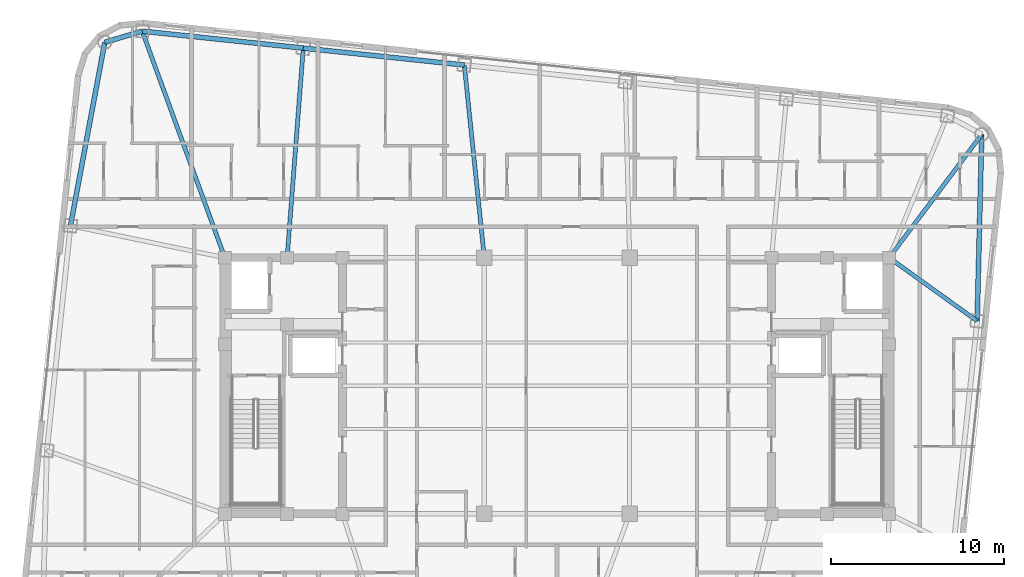
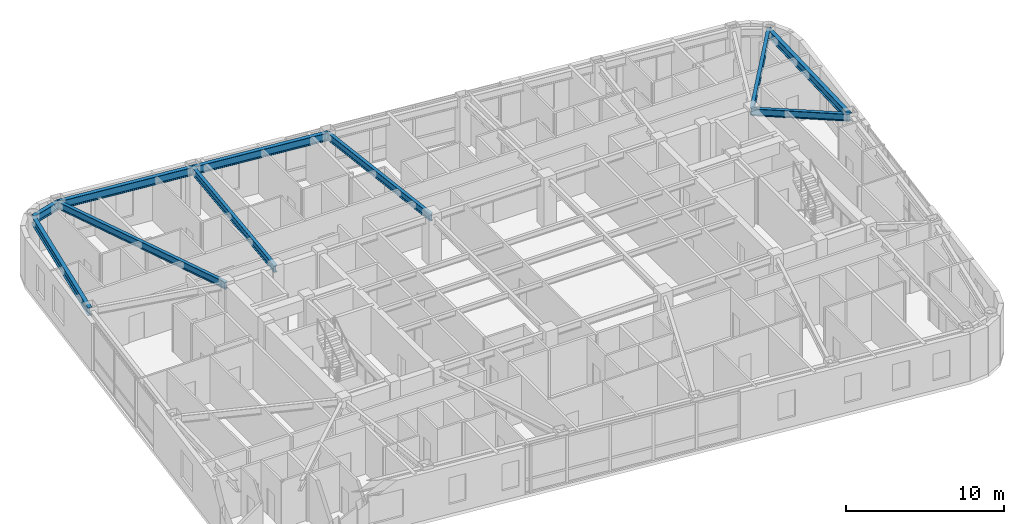
# One storey, part 11 of 23: 10 beams.
"""IFC4 building model written with IfcOpenShell, lengths in metres."""

from ifc_helpers import new_model, si_unit, direction, frame, origin, origin_2d, place, context, subcontext, project, spatial, i_section, extrude, material, material_profile, profile_set, type_object, element, save


model = new_model("IFC4")

# Units and contexts
model_context = context("Model", 3, precision=1e-05, world=origin(), true_north=direction((0.0, 1.0)))
body_context = subcontext(model_context, "Body", "Model", "MODEL_VIEW")
ifc_project = project(units=[si_unit("LENGTHUNIT", "METRE"), si_unit("AREAUNIT", "SQUARE_METRE"), si_unit("VOLUMEUNIT", "CUBIC_METRE"), si_unit("PLANEANGLEUNIT", "RADIAN"), si_unit("MASSUNIT", "GRAM", prefix="KILO")], contexts=[model_context])

# Site, building, storey
site_placement = place(None, origin())
site = spatial("IfcSite", under=ifc_project, at=site_placement, CompositionType="ELEMENT")
building_placement = place(site_placement, origin())
building = spatial("IfcBuilding", under=site, at=building_placement, Name="Voryun Gate Residences", CompositionType="ELEMENT")
storey_placement = place(building_placement, frame((0.0, 0.0, 275.60009765625)))
storey = spatial("IfcBuildingStorey", under=building, at=storey_placement, Name="L68", CompositionType="ELEMENT", Elevation=275.60009765625)

# Beams
ifc_material_1 = material(Name="Steel SM355", Category="steel")
ifc_material_profile_1 = material_profile(ifc_material_1, i_section(OverallWidth=0.280029296875, OverallDepth=0.6201171875, WebThickness=0.013916015625, FlangeThickness=0.02197265625, FilletRadius=0.01806640625, at=origin_2d()), Name="H-620x280x14x22")
ifc_profile_set_1 = profile_set([ifc_material_profile_1], Name="Steel SM355")
beam_type_1 = type_object("IfcBeamType", Name="BM_EXO_SPANDREL_H", PredefinedType="SPANDREL", material=ifc_profile_set_1)
beam_1_placement = place(storey_placement, frame((24.28857421875, 3.743896484375, 3.33984375), z_axis=(0.024534711967, 0.999698978647, 0.0), x_axis=(-0.999698978647, 0.024534711967, 0.0)))
element("IfcBeam", 1, at=beam_1_placement, inside=storey, type_object=beam_type_1, Name="BM-L68-SPAND-09", PredefinedType="SPANDREL", context=body_context, shape_type="SweptSolid", body=[
    extrude(i_section(OverallWidth=0.280029296875, OverallDepth=0.6201171875, WebThickness=0.013916015625, FlangeThickness=0.02197265625, FilletRadius=0.01806640625, at=origin_2d()), origin(), (0.0, 0.0, 1.0), 10.78662109375),
])
beam_2_placement = place(storey_placement, frame((-5.357177734375, 18.539794921875, 3.33984375), z_axis=(-0.994523303591, 0.104515064059, 0.0), x_axis=(-0.104515064059, -0.994523303591, 0.0)))
element("IfcBeam", 2, at=beam_2_placement, inside=storey, type_object=beam_type_1, Name="BM-L68-SPAND-14", PredefinedType="SPANDREL", context=body_context, shape_type="SweptSolid", body=[
    extrude(i_section(OverallWidth=0.280029296875, OverallDepth=0.6201171875, WebThickness=0.013916015625, FlangeThickness=0.02197265625, FilletRadius=0.01806640625, at=origin_2d()), origin(), (0.0, 0.0, 1.0), 9.360107421875),
])
beam_3_placement = place(storey_placement, frame((-14.666015625, 19.51806640625, 3.33984375), z_axis=(-0.994520307047, 0.104543574031, 0.0), x_axis=(-0.104543574031, -0.994520307047, 0.0)))
element("IfcBeam", 3, at=beam_3_placement, inside=storey, type_object=beam_type_1, Name="BM-L68-SPAND-15", PredefinedType="SPANDREL", context=body_context, shape_type="SweptSolid", body=[
    extrude(i_section(OverallWidth=0.280029296875, OverallDepth=0.6201171875, WebThickness=0.013916015625, FlangeThickness=0.02197265625, FilletRadius=0.01806640625, at=origin_2d()), origin(), (0.0, 0.0, 1.0), 9.35986328125),
])
beam_4_placement = place(storey_placement, frame((-23.974609375, 20.49658203125, 3.33984375), z_axis=(-0.958805748412, -0.28406255792, 0.0), x_axis=(0.28406255792, -0.958805748412, 0.0)))
element("IfcBeam", 4, at=beam_4_placement, inside=storey, type_object=beam_type_1, Name="BM-L68-SPAND-16", PredefinedType="SPANDREL", context=body_context, shape_type="SweptSolid", body=[
    extrude(i_section(OverallWidth=0.280029296875, OverallDepth=0.6201171875, WebThickness=0.013916015625, FlangeThickness=0.02197265625, FilletRadius=0.01806640625, at=origin_2d()), origin(), (0.0, 0.0, 1.0), 2.2578125),
])
beam_5_placement = place(storey_placement, frame((-26.139404296875, 19.855224609375, 3.33984375), z_axis=(-0.183852585596, -0.982953827384, 0.0), x_axis=(0.982953827384, -0.183852585596, 0.0)))
element("IfcBeam", 5, at=beam_5_placement, inside=storey, type_object=beam_type_1, Name="BM-L68-SPAND-17", PredefinedType="SPANDREL", context=body_context, shape_type="SweptSolid", body=[
    extrude(i_section(OverallWidth=0.280029296875, OverallDepth=0.6201171875, WebThickness=0.013916015625, FlangeThickness=0.02197265625, FilletRadius=0.01806640625, at=origin_2d()), origin(), (0.0, 0.0, 1.0), 10.78662109375),
])
ifc_material_2 = material(Name="Steel SM355", Category="steel")
ifc_material_profile_2 = material_profile(ifc_material_2, i_section(OverallWidth=0.239990234375, OverallDepth=0.550048828125, WebThickness=0.011962890625, FlangeThickness=0.02001953125, FilletRadius=0.01806640625, at=origin_2d()), Name="H-550x240x12x20")
ifc_profile_set_2 = profile_set([ifc_material_profile_2], Name="Steel SM355")
beam_type_2 = type_object("IfcBeamType", Name="BM_GIRD_550", PredefinedType="USERDEFINED", material=ifc_profile_set_2)
beam_6_placement = place(storey_placement, frame((19.199951171875, 7.39990234375, 3.375), z_axis=(0.81212442094, -0.583484297058, 0.0), x_axis=(0.583484297058, 0.81212442094, 0.0)))
element("IfcBeam", 6, at=beam_6_placement, inside=storey, type_object=beam_type_2, Name="BM-L68-RAD-E2", ObjectType="GIRDER", PredefinedType="USERDEFINED", context=body_context, shape_type="SweptSolid", body=[
    extrude(i_section(OverallWidth=0.239990234375, OverallDepth=0.550048828125, WebThickness=0.011962890625, FlangeThickness=0.02001953125, FilletRadius=0.01806640625, at=origin_2d()), origin(), (0.0, 0.0, 1.0), 6.265869140625),
])
beam_7_placement = place(storey_placement, frame((19.199951171875, 7.39990234375, 3.375), z_axis=(0.60055201327, 0.799585692316, 0.0), x_axis=(-0.799585692316, 0.60055201327, 0.0)))
element("IfcBeam", 7, at=beam_7_placement, inside=storey, type_object=beam_type_2, Name="BM-L68-RAD-CNE", ObjectType="GIRDER", PredefinedType="USERDEFINED", context=body_context, shape_type="SweptSolid", body=[
    extrude(i_section(OverallWidth=0.239990234375, OverallDepth=0.550048828125, WebThickness=0.011962890625, FlangeThickness=0.02001953125, FilletRadius=0.01806640625, at=origin_2d()), origin(), (0.0, 0.0, 1.0), 8.913818359375),
])
beam_8_placement = place(storey_placement, frame((-4.199951171875, 7.39990234375, 3.375), z_axis=(-0.103325291149, 0.994647618109, 0.0), x_axis=(-0.994647618109, -0.103325291149, 0.0)))
element("IfcBeam", 8, at=beam_8_placement, inside=storey, type_object=beam_type_2, Name="BM-L68-RAD-N4", ObjectType="GIRDER", PredefinedType="USERDEFINED", context=body_context, shape_type="SweptSolid", body=[
    extrude(i_section(OverallWidth=0.239990234375, OverallDepth=0.550048828125, WebThickness=0.011962890625, FlangeThickness=0.02001953125, FilletRadius=0.01806640625, at=origin_2d()), origin(), (0.0, 0.0, 1.0), 11.199951171875),
])
beam_9_placement = place(storey_placement, frame((-15.60009765625, 7.39990234375, 3.375), z_axis=(0.07685317718, 0.997042420942, 0.0), x_axis=(-0.997042420942, 0.07685317718, 0.0)))
element("IfcBeam", 9, at=beam_9_placement, inside=storey, type_object=beam_type_2, Name="BM-L68-RAD-N5", ObjectType="GIRDER", PredefinedType="USERDEFINED", context=body_context, shape_type="SweptSolid", body=[
    extrude(i_section(OverallWidth=0.239990234375, OverallDepth=0.550048828125, WebThickness=0.011962890625, FlangeThickness=0.02001953125, FilletRadius=0.01806640625, at=origin_2d()), origin(), (0.0, 0.0, 1.0), 12.154052734375),
])
beam_10_placement = place(storey_placement, frame((-19.199951171875, 7.39990234375, 3.375), z_axis=(-0.342517773666, 0.939511348906, 0.0), x_axis=(-0.939511348906, -0.342517773666, 0.0)))
element("IfcBeam", 10, at=beam_10_placement, inside=storey, type_object=beam_type_2, Name="BM-L68-RAD-N6", ObjectType="GIRDER", PredefinedType="USERDEFINED", context=body_context, shape_type="SweptSolid", body=[
    extrude(i_section(OverallWidth=0.239990234375, OverallDepth=0.550048828125, WebThickness=0.011962890625, FlangeThickness=0.02001953125, FilletRadius=0.01806640625, at=origin_2d()), origin(), (0.0, 0.0, 1.0), 13.93994140625),
])

save(model, "model.ifc")
